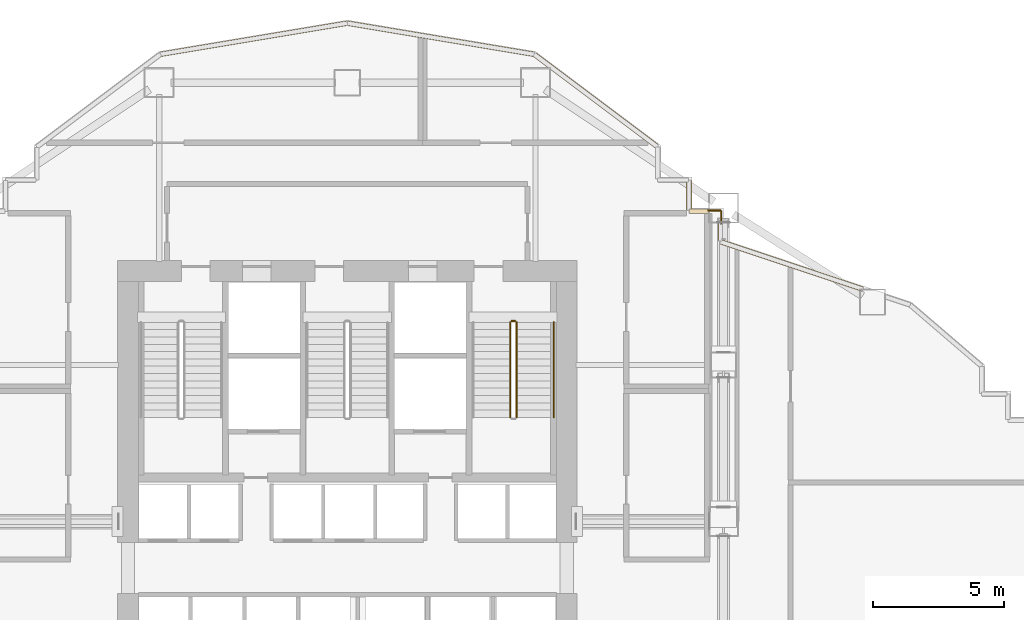
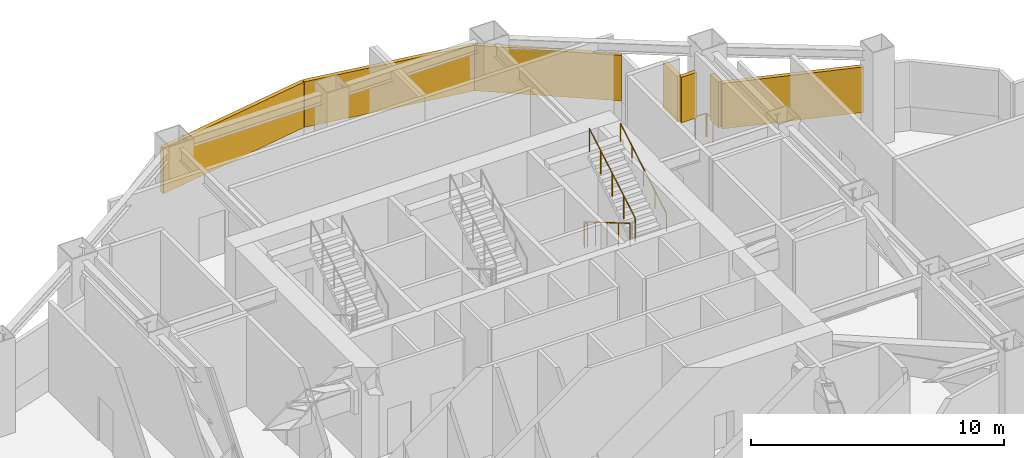
# One storey, part 22 of 23: 7 shading devices, 6 railings.
"""IFC4 building model written with IfcOpenShell, lengths in metres."""

from ifc_helpers import new_model, si_unit, direction, frame, origin, origin_2d, place, context, subcontext, project, spatial, rectangle, circle, extrude, material, type_object, element, save


model = new_model("IFC4")

# Units and contexts
model_context = context("Model", 3, precision=1e-05, world=origin(), true_north=direction((0.0, 1.0)))
body_context = subcontext(model_context, "Body", "Model", "MODEL_VIEW")
ifc_project = project(units=[si_unit("LENGTHUNIT", "METRE"), si_unit("AREAUNIT", "SQUARE_METRE"), si_unit("VOLUMEUNIT", "CUBIC_METRE"), si_unit("PLANEANGLEUNIT", "RADIAN"), si_unit("MASSUNIT", "GRAM", prefix="KILO")], contexts=[model_context])

# Site, building, storey
site_placement = place(None, origin())
site = spatial("IfcSite", under=ifc_project, at=site_placement, CompositionType="ELEMENT")
building_placement = place(site_placement, origin())
building = spatial("IfcBuilding", under=site, at=building_placement, Name="Haolan Belvedere Tower", CompositionType="ELEMENT")
storey_placement = place(building_placement, frame((0.0, 0.0, 89.39990234375)))
storey = spatial("IfcBuildingStorey", under=building, at=storey_placement, Name="L22", CompositionType="ELEMENT", Elevation=89.39990234375)

# Railings
ifc_material_1 = material(Name="Galvanised powder-coated steel guardrail", Category="steel")
railing_type_1 = type_object("IfcRailingType", Name="RL-REF-GRD-1150", PredefinedType="GUARDRAIL", material=ifc_material_1)
railing_1_placement = place(storey_placement, frame((52.2099609375, 45.510009765625, 0.0)))
element("IfcRailing", 1, at=railing_1_placement, inside=storey, type_object=railing_type_1, Name="L22 refuge corner safety guardrail 7A", PredefinedType="GUARDRAIL", context=body_context, shape_type="SweptSolid", body=[
    extrude(circle(Radius=0.02392578125, at=origin_2d()), frame((0.0, 0.0, 1.1259765625), z_axis=(1.0, 0.0, 0.0), x_axis=(0.0, 1.0, 0.0)), (0.0, 0.0, 1.0), 0.469970703125),
    extrude(circle(Radius=0.02099609375, at=origin_2d()), origin(), (0.0, 0.0, 1.0), 1.101806640625),
    extrude(circle(Radius=0.02099609375, at=origin_2d()), frame((0.469970703125, 0.0, 0.0)), (0.0, 0.0, 1.0), 1.101806640625),
])
railing_2_placement = place(storey_placement, frame((52.7099609375, 45.47998046875, 0.0)))
element("IfcRailing", 2, at=railing_2_placement, inside=storey, type_object=railing_type_1, Name="L22 refuge corner safety guardrail 7B", PredefinedType="GUARDRAIL", context=body_context, shape_type="SweptSolid", body=[
    extrude(circle(Radius=0.02392578125, at=origin_2d()), frame((0.0, 0.0, 1.1259765625), z_axis=(0.0, -1.0, 0.0), x_axis=(1.0, 0.0, 0.0)), (0.0, 0.0, 1.0), 0.469970703125),
    extrude(circle(Radius=0.02099609375, at=origin_2d()), origin(), (0.0, 0.0, 1.0), 1.101806640625),
    extrude(circle(Radius=0.02099609375, at=origin_2d()), frame((0.0, -0.469970703125, 0.0)), (0.0, 0.0, 1.0), 1.101806640625),
])
ifc_material_2 = material(Name="Brushed stainless steel 304", Category="steel")
railing_type_2 = type_object("IfcRailingType", Name="RL-STAIR-GRD-1150", PredefinedType="GUARDRAIL", material=ifc_material_2)
railing_3_placement = place(storey_placement, frame((44.639892578125, 41.22998046875, 0.164306640625)))
element("IfcRailing", 3, at=railing_3_placement, inside=storey, type_object=railing_type_2, Name="L22 ST2 stair guard 1", PredefinedType="GUARDRAIL", context=body_context, shape_type="SweptSolid", body=[
    extrude(circle(Radius=0.02392578125, at=origin_2d()), frame((0.0, 0.0, 1.1259765625), z_axis=(0.0, -0.862489892076, 0.506074289079), x_axis=(1.0, 0.0, 0.0)), (0.0, 0.0, 1.0), 4.22021484375),
    extrude(circle(Radius=0.02099609375, at=origin_2d()), origin(), (0.0, 0.0, 1.0), 1.101806640625),
    extrude(circle(Radius=0.02099609375, at=origin_2d()), frame((0.0, -0.909912109375, 0.533935546875)), (0.0, 0.0, 1.0), 1.101806640625),
    extrude(circle(Radius=0.02099609375, at=origin_2d()), frame((0.0, -1.81982421875, 1.06787109375)), (0.0, 0.0, 1.0), 1.101806640625),
    extrude(circle(Radius=0.02099609375, at=origin_2d()), frame((0.0, -2.72998046875, 1.601806640625)), (0.0, 0.0, 1.0), 1.101806640625),
    extrude(circle(Radius=0.02099609375, at=origin_2d()), frame((0.0, -3.639892578125, 2.1357421875)), (0.0, 0.0, 1.0), 1.101806640625),
])
railing_4_placement = place(storey_placement, frame((44.8798828125, 37.590087890625, 2.46435546875)))
element("IfcRailing", 4, at=railing_4_placement, inside=storey, type_object=railing_type_2, Name="L22 ST2 stair guard 3", PredefinedType="GUARDRAIL", context=body_context, shape_type="SweptSolid", body=[
    extrude(circle(Radius=0.02392578125, at=origin_2d()), frame((0.0, 0.0, 1.1259765625), z_axis=(0.0, 0.862489892076, 0.506074289079), x_axis=(-1.0, 0.0, 0.0)), (0.0, 0.0, 1.0), 4.22021484375),
    extrude(circle(Radius=0.02099609375, at=origin_2d()), origin(), (0.0, 0.0, 1.0), 1.101806640625),
    extrude(circle(Radius=0.02099609375, at=origin_2d()), frame((0.0, 0.909912109375, 0.533935546875)), (0.0, 0.0, 1.0), 1.101806640625),
    extrude(circle(Radius=0.02099609375, at=origin_2d()), frame((0.0, 1.81982421875, 1.06787109375)), (0.0, 0.0, 1.0), 1.101806640625),
    extrude(circle(Radius=0.02099609375, at=origin_2d()), frame((0.0, 2.72998046875, 1.601806640625)), (0.0, 0.0, 1.0), 1.101806640625),
    extrude(circle(Radius=0.02099609375, at=origin_2d()), frame((0.0, 3.639892578125, 2.1357421875)), (0.0, 0.0, 1.0), 1.101806640625),
])
railing_5_placement = place(storey_placement, frame((44.68994140625, 41.280029296875, 0.0)))
element("IfcRailing", 5, at=railing_5_placement, inside=storey, type_object=railing_type_2, Name="L22 ST2 stair guard 4", PredefinedType="GUARDRAIL", context=body_context, shape_type="SweptSolid", body=[
    extrude(circle(Radius=0.02392578125, at=origin_2d()), frame((0.0, 0.0, 1.1259765625), z_axis=(1.0, 0.0, 0.0), x_axis=(0.0, 1.0, 0.0)), (0.0, 0.0, 1.0), 0.14013671875),
    extrude(circle(Radius=0.02099609375, at=origin_2d()), origin(), (0.0, 0.0, 1.0), 1.101806640625),
    extrude(circle(Radius=0.02099609375, at=origin_2d()), frame((0.14013671875, 0.0, 0.0)), (0.0, 0.0, 1.0), 1.101806640625),
])
railing_type_3 = type_object("IfcRailingType", Name="RL-STAIR-HND-900", PredefinedType="HANDRAIL", material=ifc_material_2)
railing_6_placement = place(storey_placement, frame((46.300048828125, 37.590087890625, 2.46435546875)))
element("IfcRailing", 6, at=railing_6_placement, inside=storey, type_object=railing_type_3, Name="L22 ST2 stair handrail 2", PredefinedType="HANDRAIL", context=body_context, shape_type="SweptSolid", body=[
    extrude(circle(Radius=0.02392578125, at=origin_2d()), frame((0.0, 0.0, 0.8759765625), z_axis=(0.0, 0.862489892076, 0.506074289079), x_axis=(-1.0, 0.0, 0.0)), (0.0, 0.0, 1.0), 4.22021484375),
    extrude(circle(Radius=0.02099609375, at=origin_2d()), origin(), (0.0, 0.0, 1.0), 0.851806640625),
    extrude(circle(Radius=0.02099609375, at=origin_2d()), frame((0.0, 0.909912109375, 0.533935546875)), (0.0, 0.0, 1.0), 0.851806640625),
    extrude(circle(Radius=0.02099609375, at=origin_2d()), frame((0.0, 1.81982421875, 1.06787109375)), (0.0, 0.0, 1.0), 0.851806640625),
    extrude(circle(Radius=0.02099609375, at=origin_2d()), frame((0.0, 2.72998046875, 1.601806640625)), (0.0, 0.0, 1.0), 0.851806640625),
    extrude(circle(Radius=0.02099609375, at=origin_2d()), frame((0.0, 3.639892578125, 2.1357421875)), (0.0, 0.0, 1.0), 0.851806640625),
])

# Shading devices
ifc_material_3 = material(Name="Anodised champagne-silver aluminium 6063-T6", Category="aluminium")
shading_device_type = type_object("IfcShadingDeviceType", Name="SHD-LOUV-180", PredefinedType="JALOUSIE", material=ifc_material_3)
shading_device_1_placement = place(storey_placement, frame((55.412353515625, 43.402587890625, 1.14990234375), z_axis=(0.0, 0.0, 1.0), x_axis=(-0.948683015593, 0.316228613389, 0.0)))
element("IfcShadingDevice", 7, at=shading_device_1_placement, inside=storey, type_object=shading_device_type, Name="L22 refuge storm-proof louvre bank 35.2", PredefinedType="JALOUSIE", context=body_context, shape_type="SweptSolid", body=[
    extrude(rectangle(XDim=5.72021484375, YDim=0.179931640625, at=origin_2d()), origin(), (0.0, 0.0, 1.0), 2.199951171875),
])
shading_device_2_placement = place(storey_placement, frame((52.679931640625, 44.688232421875, 1.14990234375), z_axis=(0.0, 0.0, 1.0), x_axis=(0.0, 1.0, 0.0)))
element("IfcShadingDevice", 8, at=shading_device_2_placement, inside=storey, type_object=shading_device_type, Name="L22 refuge storm-proof louvre bank 36.1", PredefinedType="JALOUSIE", context=body_context, shape_type="SweptSolid", body=[
    extrude(rectangle(XDim=0.6494140625, YDim=0.179931640625, at=origin_2d()), origin(), (0.0, 0.0, 1.0), 2.199951171875),
])
shading_device_3_placement = place(storey_placement, frame((51.8564453125, 45.47998046875, 1.14990234375), z_axis=(0.0, 0.0, 1.0), x_axis=(-1.0, 0.0, 0.0)))
element("IfcShadingDevice", 9, at=shading_device_3_placement, inside=storey, type_object=shading_device_type, Name="L22 refuge storm-proof louvre bank 37.1", PredefinedType="JALOUSIE", context=body_context, shape_type="SweptSolid", body=[
    extrude(rectangle(XDim=0.712890625, YDim=0.179931640625, at=origin_2d()), origin(), (0.0, 0.0, 1.0), 2.199951171875),
])
shading_device_4_placement = place(storey_placement, frame((51.47998046875, 46.094970703125, 1.14990234375), z_axis=(0.0, 0.0, 1.0), x_axis=(0.0, 1.0, 0.0)))
element("IfcShadingDevice", 10, at=shading_device_4_placement, inside=storey, type_object=shading_device_type, Name="L22 refuge storm-proof louvre bank 38.1", PredefinedType="JALOUSIE", context=body_context, shape_type="SweptSolid", body=[
    extrude(rectangle(XDim=1.1298828125, YDim=0.179931640625, at=origin_2d()), origin(), (0.0, 0.0, 1.0), 2.199951171875),
])
shading_device_5_placement = place(storey_placement, frame((47.90966796875, 49.7177734375, 1.14990234375), z_axis=(0.0, 0.0, 1.0), x_axis=(-0.799998928149, 0.600001429133, 0.0)))
element("IfcShadingDevice", 11, at=shading_device_5_placement, inside=storey, type_object=shading_device_type, Name="L22 refuge storm-proof louvre bank 41.1", PredefinedType="JALOUSIE", context=body_context, shape_type="SweptSolid", body=[
    extrude(rectangle(XDim=5.855712890625, YDim=0.179931640625, at=origin_2d()), origin(), (0.0, 0.0, 1.0), 2.199951171875),
])
for number, where, z_axis, x_axis, name in (
    (12, (41.9755859375, 52.08251953125, 1.14990234375), (0.0, 0.0, 1.0), (-0.986394848329, 0.164393440227, 0.0), "L22 refuge storm-proof louvre bank 42.1"),
    (13, (34.82421875, 52.08251953125, 1.14990234375), (0.0, 0.0, 1.0), (-0.986394848329, -0.164393440227, 0.0), "L22 refuge storm-proof louvre bank 43.1"),
):
    element("IfcShadingDevice", number, at=place(storey_placement, frame(where, z_axis=z_axis, x_axis=x_axis)), inside=storey, type_object=shading_device_type, Name=name, PredefinedType="JALOUSIE", context=body_context, shape_type="SweptSolid", body=[
        extrude(rectangle(XDim=7.2099609375, YDim=0.179931640625, at=origin_2d()), origin(), (0.0, 0.0, 1.0), 2.199951171875),
    ])

save(model, "model.ifc")
